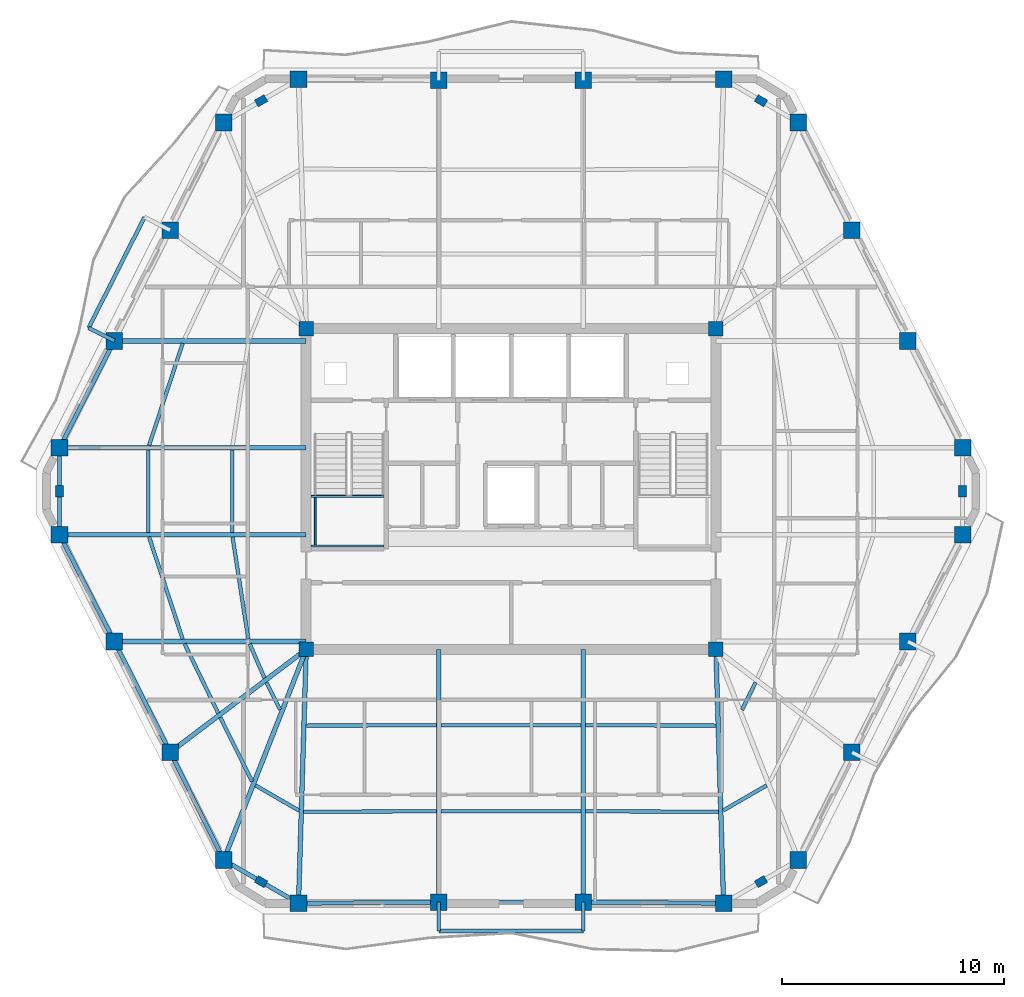
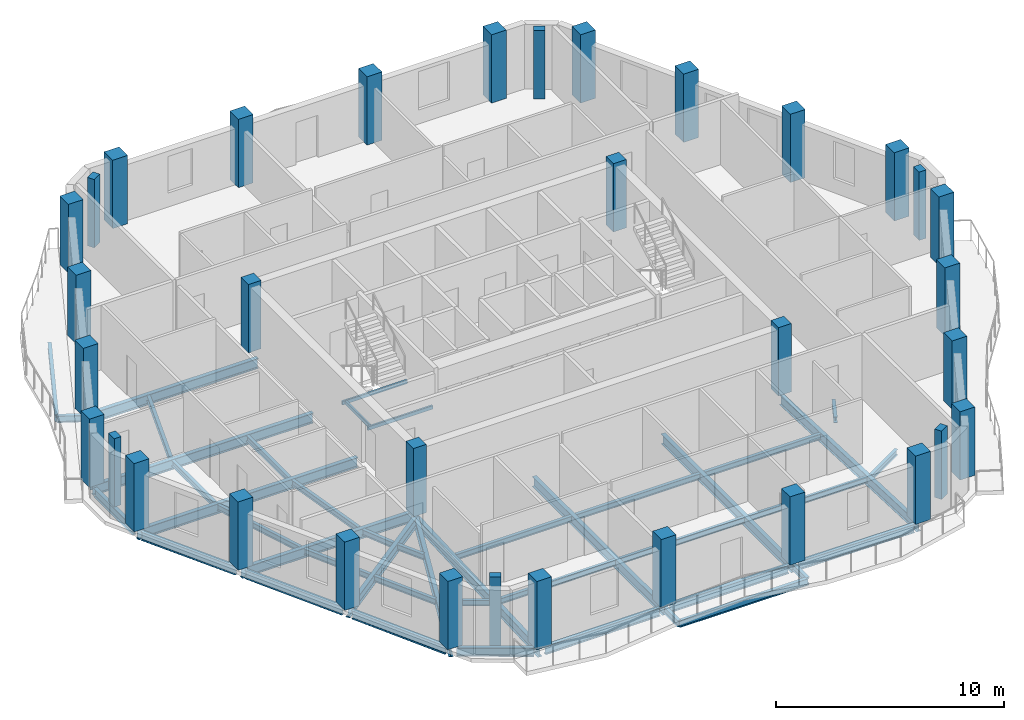
# One storey, part 1 of 11: 45 beams, 34 columns.
"""IFC4 building model written with IfcOpenShell, lengths in metres."""

from ifc_helpers import new_model, si_unit, direction, frame, origin, origin_2d, place, context, subcontext, project, spatial, rectangle, hollow_rectangle, i_section, extrude, material, material_profile, profile_set, type_object, element, save


model = new_model("IFC4")

# Units and contexts
model_context = context("Model", 3, precision=1e-05, world=origin(), true_north=direction((0.0, 1.0)))
body_context = subcontext(model_context, "Body", "Model", "MODEL_VIEW")
ifc_project = project(units=[si_unit("LENGTHUNIT", "METRE"), si_unit("AREAUNIT", "SQUARE_METRE"), si_unit("VOLUMEUNIT", "CUBIC_METRE"), si_unit("PLANEANGLEUNIT", "RADIAN"), si_unit("MASSUNIT", "GRAM", prefix="KILO")], contexts=[model_context])

# Site, building, storey
site_placement = place(None, origin())
site = spatial("IfcSite", under=ifc_project, at=site_placement, CompositionType="ELEMENT")
building_placement = place(site_placement, origin())
building = spatial("IfcBuilding", under=site, at=building_placement, Name="Cinnabar Lancet Tower", CompositionType="ELEMENT")
storey_placement = place(building_placement, frame((0.0, 0.0, 230.64990234375)))
storey = spatial("IfcBuildingStorey", under=building, at=storey_placement, Name="L61", CompositionType="ELEMENT", Elevation=230.64990234375)

# Columns
ifc_material_1 = material(Name="Concrete C50/60", Category="concrete")
ifc_material_profile_1 = material_profile(ifc_material_1, rectangle(XDim=0.64990234375, YDim=0.64990234375, at=origin_2d()), Name="RC-COL 650x650")
ifc_profile_set_1 = profile_set([ifc_material_profile_1], Name="Concrete C50/60")
column_type_1 = type_object("IfcColumnType", Name="STR-COL-CORE-650B", PredefinedType="COLUMN", material=ifc_profile_set_1)
for number, where, z_axis, x_axis, name in (
    (1, (23.175048828125, 18.675048828125, 0.0), (0.0, 0.0, 1.0), (1.0, 0.0, 0.0), "L61 Core Corner Column SW"),
    (2, (41.625, 18.675048828125, 0.0), (0.0, 0.0, 1.0), (1.0, 0.0, 0.0), "L61 Core Corner Column SE"),
    (3, (41.625, 33.125, 0.0), (0.0, 0.0, 1.0), (1.0, 0.0, 0.0), "L61 Core Corner Column NE"),
    (4, (23.175048828125, 33.125, 0.0), (0.0, 0.0, 1.0), (1.0, 0.0, 0.0), "L61 Core Corner Column NW"),
):
    element("IfcColumn", number, at=place(storey_placement, frame(where, z_axis=z_axis, x_axis=x_axis)), inside=storey, type_object=column_type_1, Name=name, PredefinedType="COLUMN", context=body_context, shape_type="SweptSolid", body=[
        extrude(rectangle(XDim=0.64990234375, YDim=0.64990234375, at=origin_2d()), origin(), (0.0, 0.0, 1.0), 3.650146484375),
    ])
ifc_material_2 = material(Name="Concrete C60/75", Category="concrete")
ifc_material_profile_2 = material_profile(ifc_material_2, rectangle(XDim=0.5, YDim=0.35009765625, at=origin_2d()), Name="RC-PIL 500x350")
ifc_profile_set_2 = profile_set([ifc_material_profile_2], Name="Concrete C60/75")
column_type_2 = type_object("IfcColumnType", Name="STR-COL-PIL-500", PredefinedType="PILASTER", material=ifc_profile_set_2)
for number, where, z_axis, x_axis, name in (
    (5, (21.14306640625, 8.215087890625, 0.0), (0.0, 0.0, 1.0), (0.865256437757, -0.501329529272, 0.0), "L61 Chamfered Corner Pilaster 1"),
    (6, (43.656982421875, 8.215087890625, 0.0), (0.0, 0.0, 1.0), (0.865256437757, 0.501329529272, 0.0), "L61 Chamfered Corner Pilaster 2"),
    (7, (52.737060546875, 25.800048828125, 0.0), (0.0, 0.0, 1.0), (0.0, 1.0, 0.0), "L61 Chamfered Corner Pilaster 3"),
    (8, (43.656982421875, 43.385009765625, 0.0), (0.0, 0.0, 1.0), (-0.865256437757, 0.501329529272, 0.0), "L61 Chamfered Corner Pilaster 4"),
    (9, (21.14306640625, 43.385009765625, 0.0), (0.0, 0.0, 1.0), (-0.865256437757, -0.501329529272, 0.0), "L61 Chamfered Corner Pilaster 5"),
    (10, (12.06298828125, 25.800048828125, 0.0), (0.0, 0.0, 1.0), (0.0, -1.0, 0.0), "L61 Chamfered Corner Pilaster 6"),
):
    element("IfcColumn", number, at=place(storey_placement, frame(where, z_axis=z_axis, x_axis=x_axis)), inside=storey, type_object=column_type_2, Name=name, PredefinedType="PILASTER", context=body_context, shape_type="SweptSolid", body=[
        extrude(rectangle(XDim=0.5, YDim=0.35009765625, at=origin_2d()), origin(), (0.0, 0.0, 1.0), 3.650146484375),
    ])
ifc_material_3 = material(Name="Concrete C50/60", Category="concrete")
ifc_material_profile_3 = material_profile(ifc_material_3, rectangle(XDim=0.75, YDim=0.75, at=origin_2d()), Name="RC-COL 750x750")
ifc_profile_set_3 = profile_set([ifc_material_profile_3], Name="Concrete C50/60")
column_type_3 = type_object("IfcColumnType", Name="STR-COL-TUBE-750", PredefinedType="COLUMN", material=ifc_profile_set_3)
for number, where, z_axis, x_axis, name in (
    (11, (22.827880859375, 7.239013671875, 0.0), (0.0, 0.0, 1.0), (1.0, 0.0, 0.0), "L61 Perimeter Tube Column 1"),
    (12, (29.14599609375, 7.2919921875, 0.0), (0.0, 0.0, 1.0), (1.0, 0.0, 0.0), "L61 Perimeter Tube Column 2"),
    (13, (35.654052734375, 7.2919921875, 0.0), (0.0, 0.0, 1.0), (1.0, 0.0, 0.0), "L61 Perimeter Tube Column 3"),
    (14, (41.971923828125, 7.239013671875, 0.0), (0.0, 0.0, 1.0), (1.0, 0.0, 0.0), "L61 Perimeter Tube Column 4"),
    (15, (45.341064453125, 9.19091796875, 0.0), (0.0, 0.0, 1.0), (1.0, 0.0, 0.0), "L61 Perimeter Tube Column 5"),
    (16, (47.7490234375, 14.0458984375, 0.0), (0.0, 0.0, 1.0), (1.0, 0.0, 0.0), "L61 Perimeter Tube Column 6"),
    (17, (50.263916015625, 19.032958984375, 0.0), (0.0, 0.0, 1.0), (1.0, 0.0, 0.0), "L61 Perimeter Tube Column 7"),
    (18, (52.737060546875, 23.844970703125, 0.0), (0.0, 0.0, 1.0), (1.0, 0.0, 0.0), "L61 Perimeter Tube Column 8"),
    (19, (52.737060546875, 27.7548828125, 0.0), (0.0, 0.0, 1.0), (1.0, 0.0, 0.0), "L61 Perimeter Tube Column 9"),
    (20, (50.263916015625, 32.56689453125, 0.0), (0.0, 0.0, 1.0), (1.0, 0.0, 0.0), "L61 Perimeter Tube Column 10"),
    (21, (47.7490234375, 37.553955078125, 0.0), (0.0, 0.0, 1.0), (1.0, 0.0, 0.0), "L61 Perimeter Tube Column 11"),
    (22, (45.341064453125, 42.408935546875, 0.0), (0.0, 0.0, 1.0), (1.0, 0.0, 0.0), "L61 Perimeter Tube Column 12"),
    (23, (41.971923828125, 44.361083984375, 0.0), (0.0, 0.0, 1.0), (1.0, 0.0, 0.0), "L61 Perimeter Tube Column 13"),
    (24, (35.654052734375, 44.30810546875, 0.0), (0.0, 0.0, 1.0), (1.0, 0.0, 0.0), "L61 Perimeter Tube Column 14"),
    (25, (29.14599609375, 44.30810546875, 0.0), (0.0, 0.0, 1.0), (1.0, 0.0, 0.0), "L61 Perimeter Tube Column 15"),
    (26, (22.827880859375, 44.361083984375, 0.0), (0.0, 0.0, 1.0), (1.0, 0.0, 0.0), "L61 Perimeter Tube Column 16"),
    (27, (19.458984375, 42.408935546875, 0.0), (0.0, 0.0, 1.0), (1.0, 0.0, 0.0), "L61 Perimeter Tube Column 17"),
    (28, (17.051025390625, 37.553955078125, 0.0), (0.0, 0.0, 1.0), (1.0, 0.0, 0.0), "L61 Perimeter Tube Column 18"),
    (29, (14.535888671875, 32.56689453125, 0.0), (0.0, 0.0, 1.0), (1.0, 0.0, 0.0), "L61 Perimeter Tube Column 19"),
    (30, (12.06298828125, 27.7548828125, 0.0), (0.0, 0.0, 1.0), (1.0, 0.0, 0.0), "L61 Perimeter Tube Column 20"),
    (31, (12.06298828125, 23.844970703125, 0.0), (0.0, 0.0, 1.0), (1.0, 0.0, 0.0), "L61 Perimeter Tube Column 21"),
    (32, (14.535888671875, 19.032958984375, 0.0), (0.0, 0.0, 1.0), (1.0, 0.0, 0.0), "L61 Perimeter Tube Column 22"),
    (33, (17.051025390625, 14.0458984375, 0.0), (0.0, 0.0, 1.0), (1.0, 0.0, 0.0), "L61 Perimeter Tube Column 23"),
    (34, (19.458984375, 9.19091796875, 0.0), (0.0, 0.0, 1.0), (1.0, 0.0, 0.0), "L61 Perimeter Tube Column 24"),
):
    element("IfcColumn", number, at=place(storey_placement, frame(where, z_axis=z_axis, x_axis=x_axis)), inside=storey, type_object=column_type_3, Name=name, PredefinedType="COLUMN", context=body_context, shape_type="SweptSolid", body=[
        extrude(rectangle(XDim=0.75, YDim=0.75, at=origin_2d()), origin(), (0.0, 0.0, 1.0), 3.650146484375),
    ])

# Beams
ifc_material_4 = material(Name="Structural steel S355", Category="steel")
ifc_material_profile_4 = material_profile(ifc_material_4, i_section(OverallWidth=0.1650390625, OverallDepth=0.303466796875, WebThickness=0.006103515625, FlangeThickness=0.01025390625, FilletRadius=0.0087890625, at=origin_2d()), Name="UKB 305x165x40")
ifc_profile_set_4 = profile_set([ifc_material_profile_4], Name="Structural steel S355")
beam_type_1 = type_object("IfcBeamType", Name="STR-BM-JST-305", PredefinedType="JOIST", material=ifc_profile_set_4)
beam_1_placement = place(storey_placement, frame((16.097900390625, 23.739990234375, -0.351806640625), z_axis=(0.312536616989, -0.949905712711, 0.0), x_axis=(0.949905712711, 0.312536616989, 0.0)))
element("IfcBeam", 35, at=beam_1_placement, inside=storey, type_object=beam_type_1, Name="L61 Secondary Floor Joist 1", PredefinedType="JOIST", context=body_context, shape_type="SweptSolid", body=[
    extrude(i_section(OverallWidth=0.1650390625, OverallDepth=0.303466796875, WebThickness=0.006103515625, FlangeThickness=0.01025390625, FilletRadius=0.0087890625, at=origin_2d()), origin(), (0.0, 0.0, 1.0), 4.8447265625),
])
beam_2_placement = place(storey_placement, frame((19.85791015625, 23.739990234375, -0.351806640625), z_axis=(0.152262059154, -0.988340156698, 0.0), x_axis=(0.988340156698, 0.152262059154, 0.0)))
element("IfcBeam", 36, at=beam_2_placement, inside=storey, type_object=beam_type_1, Name="L61 Secondary Floor Joist 2", PredefinedType="JOIST", context=body_context, shape_type="SweptSolid", body=[
    extrude(i_section(OverallWidth=0.1650390625, OverallDepth=0.303466796875, WebThickness=0.006103515625, FlangeThickness=0.01025390625, FilletRadius=0.0087890625, at=origin_2d()), origin(), (0.0, 0.0, 1.0), 4.65625),
])
beam_3_placement = place(storey_placement, frame((17.697021484375, 18.927978515625, -0.351806640625), z_axis=(0.43610936109, -0.899893674369, 0.0), x_axis=(0.899893674369, 0.43610936109, 0.0)))
element("IfcBeam", 37, at=beam_3_placement, inside=storey, type_object=beam_type_1, Name="L61 Secondary Floor Joist 3", PredefinedType="JOIST", context=body_context, shape_type="SweptSolid", body=[
    extrude(i_section(OverallWidth=0.1650390625, OverallDepth=0.303466796875, WebThickness=0.006103515625, FlangeThickness=0.01025390625, FilletRadius=0.0087890625, at=origin_2d()), origin(), (0.0, 0.0, 1.0), 3.467041015625),
])
beam_4_placement = place(storey_placement, frame((20.62890625, 18.927978515625, -0.351806640625), z_axis=(0.396302440144, -0.91812002262, 0.0), x_axis=(0.91812002262, 0.396302440144, 0.0)))
element("IfcBeam", 38, at=beam_4_placement, inside=storey, type_object=beam_type_1, Name="L61 Secondary Floor Joist 4", PredefinedType="JOIST", context=body_context, shape_type="SweptSolid", body=[
    extrude(i_section(OverallWidth=0.1650390625, OverallDepth=0.303466796875, WebThickness=0.006103515625, FlangeThickness=0.01025390625, FilletRadius=0.0087890625, at=origin_2d()), origin(), (0.0, 0.0, 1.0), 1.6806640625),
])
beam_5_placement = place(storey_placement, frame((19.302978515625, 15.616943359375, -0.351806640625), z_axis=(0.444330443712, -0.895862967641, 0.0), x_axis=(0.895862967641, 0.444330443712, 0.0)))
element("IfcBeam", 39, at=beam_5_placement, inside=storey, type_object=beam_type_1, Name="L61 Secondary Floor Joist 5", PredefinedType="JOIST", context=body_context, shape_type="SweptSolid", body=[
    extrude(i_section(OverallWidth=0.1650390625, OverallDepth=0.303466796875, WebThickness=0.006103515625, FlangeThickness=0.01025390625, FilletRadius=0.0087890625, at=origin_2d()), origin(), (0.0, 0.0, 1.0), 3.220458984375),
])
beam_6_placement = place(storey_placement, frame((21.385009765625, 17.19091796875, -0.351806640625), z_axis=(0.444093192127, -0.89598060063, 0.0), x_axis=(0.89598060063, 0.444093192127, 0.0)))
element("IfcBeam", 40, at=beam_6_placement, inside=storey, type_object=beam_type_1, Name="L61 Secondary Floor Joist 6", PredefinedType="JOIST", context=body_context, shape_type="SweptSolid", body=[
    extrude(i_section(OverallWidth=0.1650390625, OverallDepth=0.303466796875, WebThickness=0.006103515625, FlangeThickness=0.01025390625, FilletRadius=0.0087890625, at=origin_2d()), origin(), (0.0, 0.0, 1.0), 1.378173828125),
])
beam_7_placement = place(storey_placement, frame((20.887939453125, 12.552001953125, -0.351806640625), z_axis=(0.865426285481, -0.501036270542, 0.0), x_axis=(0.501036270542, 0.865426285481, 0.0)))
element("IfcBeam", 41, at=beam_7_placement, inside=storey, type_object=beam_type_1, Name="L61 Secondary Floor Joist 7", PredefinedType="JOIST", context=body_context, shape_type="SweptSolid", body=[
    extrude(i_section(OverallWidth=0.1650390625, OverallDepth=0.303466796875, WebThickness=0.006103515625, FlangeThickness=0.01025390625, FilletRadius=0.0087890625, at=origin_2d()), origin(), (0.0, 0.0, 1.0), 2.267333984375),
])
beam_8_placement = place(storey_placement, frame((23.05810546875, 11.35693359375, -0.351806640625), z_axis=(0.999985712428, 0.005345553266, 0.0), x_axis=(-0.005345553266, 0.999985712428, 0.0)))
element("IfcBeam", 42, at=beam_8_placement, inside=storey, type_object=beam_type_1, Name="L61 Secondary Floor Joist 8", PredefinedType="JOIST", context=body_context, shape_type="SweptSolid", body=[
    extrude(i_section(OverallWidth=0.1650390625, OverallDepth=0.303466796875, WebThickness=0.006103515625, FlangeThickness=0.01025390625, FilletRadius=0.0087890625, at=origin_2d()), origin(), (0.0, 0.0, 1.0), 5.98291015625),
])
beam_9_placement = place(storey_placement, frame((23.176025390625, 15.243896484375, -0.351806640625), z_axis=(0.999996226008, 0.002747356738, 0.0), x_axis=(-0.002747356738, 0.999996226008, 0.0)))
element("IfcBeam", 43, at=beam_9_placement, inside=storey, type_object=beam_type_1, Name="L61 Secondary Floor Joist 9", PredefinedType="JOIST", context=body_context, shape_type="SweptSolid", body=[
    extrude(i_section(OverallWidth=0.1650390625, OverallDepth=0.303466796875, WebThickness=0.006103515625, FlangeThickness=0.01025390625, FilletRadius=0.0087890625, at=origin_2d()), origin(), (0.0, 0.0, 1.0), 5.864990234375),
])
for number, where, z_axis, x_axis, name in (
    (44, (29.2509765625, 11.389892578125, -0.351806640625), (1.0, 0.0, 0.0), (0.0, 1.0, 0.0), "L61 Secondary Floor Joist 10"),
    (45, (29.2509765625, 15.260009765625, -0.351806640625), (1.0, 0.0, 0.0), (0.0, 1.0, 0.0), "L61 Secondary Floor Joist 11"),
):
    element("IfcBeam", number, at=place(storey_placement, frame(where, z_axis=z_axis, x_axis=x_axis)), inside=storey, type_object=beam_type_1, Name=name, PredefinedType="JOIST", context=body_context, shape_type="SweptSolid", body=[
        extrude(i_section(OverallWidth=0.1650390625, OverallDepth=0.303466796875, WebThickness=0.006103515625, FlangeThickness=0.01025390625, FilletRadius=0.0087890625, at=origin_2d()), origin(), (0.0, 0.0, 1.0), 6.298095703125),
    ])
beam_10_placement = place(storey_placement, frame((35.759033203125, 11.388916015625, -0.351806640625), z_axis=(0.999985712428, -0.005345553266, 0.0), x_axis=(0.005345553266, 0.999985712428, 0.0)))
element("IfcBeam", 46, at=beam_10_placement, inside=storey, type_object=beam_type_1, Name="L61 Secondary Floor Joist 12", PredefinedType="JOIST", context=body_context, shape_type="SweptSolid", body=[
    extrude(i_section(OverallWidth=0.1650390625, OverallDepth=0.303466796875, WebThickness=0.006103515625, FlangeThickness=0.01025390625, FilletRadius=0.0087890625, at=origin_2d()), origin(), (0.0, 0.0, 1.0), 5.98291015625),
])
beam_11_placement = place(storey_placement, frame((35.759033203125, 15.260009765625, -0.351806640625), z_axis=(0.999996226008, -0.002747356738, 0.0), x_axis=(0.002747356738, 0.999996226008, 0.0)))
element("IfcBeam", 47, at=beam_11_placement, inside=storey, type_object=beam_type_1, Name="L61 Secondary Floor Joist 13", PredefinedType="JOIST", context=body_context, shape_type="SweptSolid", body=[
    extrude(i_section(OverallWidth=0.1650390625, OverallDepth=0.303466796875, WebThickness=0.006103515625, FlangeThickness=0.01025390625, FilletRadius=0.0087890625, at=origin_2d()), origin(), (0.0, 0.0, 1.0), 5.864990234375),
])
beam_12_placement = place(storey_placement, frame((41.949951171875, 11.416015625, -0.351806640625), z_axis=(0.865426285481, 0.501036270542, 0.0), x_axis=(-0.501036270542, 0.865426285481, 0.0)))
element("IfcBeam", 48, at=beam_12_placement, inside=storey, type_object=beam_type_1, Name="L61 Secondary Floor Joist 14", PredefinedType="JOIST", context=body_context, shape_type="SweptSolid", body=[
    extrude(i_section(OverallWidth=0.1650390625, OverallDepth=0.303466796875, WebThickness=0.006103515625, FlangeThickness=0.01025390625, FilletRadius=0.0087890625, at=origin_2d()), origin(), (0.0, 0.0, 1.0), 2.267333984375),
])
beam_13_placement = place(storey_placement, frame((42.802978515625, 15.9560546875, -0.351806640625), z_axis=(0.444093192127, 0.89598060063, 0.0), x_axis=(-0.89598060063, 0.444093192127, 0.0)))
element("IfcBeam", 49, at=beam_13_placement, inside=storey, type_object=beam_type_1, Name="L61 Secondary Floor Joist 16", PredefinedType="JOIST", context=body_context, shape_type="SweptSolid", body=[
    extrude(i_section(OverallWidth=0.1650390625, OverallDepth=0.303466796875, WebThickness=0.006103515625, FlangeThickness=0.01025390625, FilletRadius=0.0087890625, at=origin_2d()), origin(), (0.0, 0.0, 1.0), 1.378173828125),
])
beam_14_placement = place(storey_placement, frame((17.612060546875, 32.4619140625, -0.351806640625), z_axis=(-0.312551578319, -0.949900790025, 0.0), x_axis=(0.949900790025, -0.312551578319, 0.0)))
element("IfcBeam", 50, at=beam_14_placement, inside=storey, type_object=beam_type_1, Name="L61 Secondary Floor Joist 41", PredefinedType="JOIST", context=body_context, shape_type="SweptSolid", body=[
    extrude(i_section(OverallWidth=0.1650390625, OverallDepth=0.303466796875, WebThickness=0.006103515625, FlangeThickness=0.01025390625, FilletRadius=0.0087890625, at=origin_2d()), origin(), (0.0, 0.0, 1.0), 4.844482421875),
])
for number, where, z_axis, x_axis, name in (
    (51, (16.06298828125, 27.64990234375, -0.351806640625), (0.0, -1.0, 0.0), (1.0, 0.0, 0.0), "L61 Secondary Floor Joist 43"),
    (52, (19.841064453125, 27.64990234375, -0.351806640625), (0.0, -1.0, 0.0), (1.0, 0.0, 0.0), "L61 Secondary Floor Joist 44"),
):
    element("IfcBeam", number, at=place(storey_placement, frame(where, z_axis=z_axis, x_axis=x_axis)), inside=storey, type_object=beam_type_1, Name=name, PredefinedType="JOIST", context=body_context, shape_type="SweptSolid", body=[
        extrude(i_section(OverallWidth=0.1650390625, OverallDepth=0.303466796875, WebThickness=0.006103515625, FlangeThickness=0.01025390625, FilletRadius=0.0087890625, at=origin_2d()), origin(), (0.0, 0.0, 1.0), 3.699951171875),
    ])
ifc_material_5 = material(Name="Structural steel S355", Category="steel")
ifc_material_profile_5 = material_profile(ifc_material_5, hollow_rectangle(XDim=0.10009765625, YDim=0.199951171875, WallThickness=0.008056640625, InnerFilletRadius=0.00390625, OuterFilletRadius=0.011962890625, at=origin_2d()), Name="RHS 200x100x8")
ifc_profile_set_5 = profile_set([ifc_material_profile_5], Name="Structural steel S355")
beam_type_2 = type_object("IfcBeamType", Name="STR-BM-LND-203", PredefinedType="BEAM", material=ifc_profile_set_5)
for number, where, z_axis, x_axis, name in (
    (53, (23.39990234375, 23.330078125, 1.525146484375), (1.0, 0.0, 0.0), (0.0, 1.0, 0.0), "L61 ST-1-L61 Landing Support Beam S"),
    (54, (23.39990234375, 25.570068359375, 1.525146484375), (1.0, 0.0, 0.0), (0.0, 1.0, 0.0), "L61 ST-1-L61 Landing Support Beam N"),
):
    element("IfcBeam", number, at=place(storey_placement, frame(where, z_axis=z_axis, x_axis=x_axis)), inside=storey, type_object=beam_type_2, Name=name, PredefinedType="BEAM", context=body_context, shape_type="SweptSolid", body=[
        extrude(hollow_rectangle(XDim=0.10009765625, YDim=0.199951171875, WallThickness=0.008056640625, InnerFilletRadius=0.00390625, OuterFilletRadius=0.011962890625, at=origin_2d()), origin(), (0.0, 0.0, 1.0), 3.280029296875),
    ])
beam_15_placement = place(storey_placement, frame((23.580078125, 23.3798828125, 1.525146484375), z_axis=(0.0, 1.0, 0.0), x_axis=(-1.0, 0.0, 0.0)))
element("IfcBeam", 55, at=beam_15_placement, inside=storey, type_object=beam_type_2, Name="L61 ST-1-L61 Landing Side Trimmer Beam", PredefinedType="BEAM", context=body_context, shape_type="SweptSolid", body=[
    extrude(hollow_rectangle(XDim=0.10009765625, YDim=0.199951171875, WallThickness=0.008056640625, InnerFilletRadius=0.00390625, OuterFilletRadius=0.011962890625, at=origin_2d()), origin(), (0.0, 0.0, 1.0), 2.14013671875),
])
ifc_material_6 = material(Name="Structural steel S355", Category="steel")
ifc_material_profile_6 = material_profile(ifc_material_6, i_section(OverallWidth=0.1904296875, OverallDepth=0.45703125, WebThickness=0.009033203125, FlangeThickness=0.014404296875, FilletRadius=0.01025390625, at=origin_2d()), Name="UKB 457x191x74")
ifc_profile_set_6 = profile_set([ifc_material_profile_6], Name="Structural steel S355")
beam_type_3 = type_object("IfcBeamType", Name="STR-BM-SPN-457", PredefinedType="SPANDREL", material=ifc_profile_set_6)
beam_16_placement = place(storey_placement, frame((23.077880859375, 7.240966796875, -0.428955078125), z_axis=(0.999964432412, 0.008434092187, 0.0), x_axis=(-0.008434092187, 0.999964432412, 0.0)))
element("IfcBeam", 56, at=beam_16_placement, inside=storey, type_object=beam_type_3, Name="L61 Perimeter Spandrel 1", PredefinedType="SPANDREL", context=body_context, shape_type="SweptSolid", body=[
    extrude(i_section(OverallWidth=0.1904296875, OverallDepth=0.45703125, WebThickness=0.009033203125, FlangeThickness=0.014404296875, FilletRadius=0.01025390625, at=origin_2d()), origin(), (0.0, 0.0, 1.0), 5.818359375),
])
beam_17_placement = place(storey_placement, frame((29.39599609375, 7.2919921875, -0.428955078125), z_axis=(1.0, 0.0, 0.0), x_axis=(0.0, 1.0, 0.0)))
element("IfcBeam", 57, at=beam_17_placement, inside=storey, type_object=beam_type_3, Name="L61 Perimeter Spandrel 2", PredefinedType="SPANDREL", context=body_context, shape_type="SweptSolid", body=[
    extrude(i_section(OverallWidth=0.1904296875, OverallDepth=0.45703125, WebThickness=0.009033203125, FlangeThickness=0.014404296875, FilletRadius=0.01025390625, at=origin_2d()), origin(), (0.0, 0.0, 1.0), 6.008056640625),
])
beam_18_placement = place(storey_placement, frame((35.904052734375, 7.2900390625, -0.428955078125), z_axis=(0.999964429427, -0.00843444609, 0.0), x_axis=(0.00843444609, 0.999964429427, 0.0)))
element("IfcBeam", 58, at=beam_18_placement, inside=storey, type_object=beam_type_3, Name="L61 Perimeter Spandrel 3", PredefinedType="SPANDREL", context=body_context, shape_type="SweptSolid", body=[
    extrude(i_section(OverallWidth=0.1904296875, OverallDepth=0.45703125, WebThickness=0.009033203125, FlangeThickness=0.014404296875, FilletRadius=0.01025390625, at=origin_2d()), origin(), (0.0, 0.0, 1.0), 5.818115234375),
])
beam_19_placement = place(storey_placement, frame((14.422119140625, 32.344970703125, -0.428955078125), z_axis=(-0.457148063427, -0.889390604912, 0.0), x_axis=(0.889390604912, -0.457148063427, 0.0)))
element("IfcBeam", 59, at=beam_19_placement, inside=storey, type_object=beam_type_3, Name="L61 Perimeter Spandrel 19", PredefinedType="SPANDREL", context=body_context, shape_type="SweptSolid", body=[
    extrude(i_section(OverallWidth=0.1904296875, OverallDepth=0.45703125, WebThickness=0.009033203125, FlangeThickness=0.014404296875, FilletRadius=0.01025390625, at=origin_2d()), origin(), (0.0, 0.0, 1.0), 4.9111328125),
])
beam_20_placement = place(storey_placement, frame((12.06298828125, 27.5048828125, -0.428955078125), z_axis=(0.0, -1.0, 0.0), x_axis=(1.0, 0.0, 0.0)))
element("IfcBeam", 60, at=beam_20_placement, inside=storey, type_object=beam_type_3, Name="L61 Perimeter Spandrel 20", PredefinedType="SPANDREL", context=body_context, shape_type="SweptSolid", body=[
    extrude(i_section(OverallWidth=0.1904296875, OverallDepth=0.45703125, WebThickness=0.009033203125, FlangeThickness=0.014404296875, FilletRadius=0.01025390625, at=origin_2d()), origin(), (0.0, 0.0, 1.0), 3.409912109375),
])
beam_21_placement = place(storey_placement, frame((12.177001953125, 23.623046875, -0.428955078125), z_axis=(0.457127852293, -0.889400993174, 0.0), x_axis=(0.889400993174, 0.457127852293, 0.0)))
element("IfcBeam", 61, at=beam_21_placement, inside=storey, type_object=beam_type_3, Name="L61 Perimeter Spandrel 21", PredefinedType="SPANDREL", context=body_context, shape_type="SweptSolid", body=[
    extrude(i_section(OverallWidth=0.1904296875, OverallDepth=0.45703125, WebThickness=0.009033203125, FlangeThickness=0.014404296875, FilletRadius=0.01025390625, at=origin_2d()), origin(), (0.0, 0.0, 1.0), 4.911376953125),
])
beam_22_placement = place(storey_placement, frame((14.64892578125, 18.81005859375, -0.428955078125), z_axis=(0.450130146726, -0.892962961722, 0.0), x_axis=(0.892962961722, 0.450130146726, 0.0)))
element("IfcBeam", 62, at=beam_22_placement, inside=storey, type_object=beam_type_3, Name="L61 Perimeter Spandrel 22", PredefinedType="SPANDREL", context=body_context, shape_type="SweptSolid", body=[
    extrude(i_section(OverallWidth=0.1904296875, OverallDepth=0.45703125, WebThickness=0.009033203125, FlangeThickness=0.014404296875, FilletRadius=0.01025390625, at=origin_2d()), origin(), (0.0, 0.0, 1.0), 5.08544921875),
])
beam_23_placement = place(storey_placement, frame((17.162109375, 13.822021484375, -0.428955078125), z_axis=(0.44433276947, -0.895861814107, 0.0), x_axis=(0.895861814107, 0.44433276947, 0.0)))
element("IfcBeam", 63, at=beam_23_placement, inside=storey, type_object=beam_type_3, Name="L61 Perimeter Spandrel 23", PredefinedType="SPANDREL", context=body_context, shape_type="SweptSolid", body=[
    extrude(i_section(OverallWidth=0.1904296875, OverallDepth=0.45703125, WebThickness=0.009033203125, FlangeThickness=0.014404296875, FilletRadius=0.01025390625, at=origin_2d()), origin(), (0.0, 0.0, 1.0), 4.919189453125),
])
beam_24_placement = place(storey_placement, frame((19.675048828125, 9.06591796875, -0.428955078125), z_axis=(0.865230894194, -0.50137361292, 0.0), x_axis=(0.50137361292, 0.865230894194, 0.0)))
element("IfcBeam", 64, at=beam_24_placement, inside=storey, type_object=beam_type_3, Name="L61 Perimeter Spandrel 24", PredefinedType="SPANDREL", context=body_context, shape_type="SweptSolid", body=[
    extrude(i_section(OverallWidth=0.1904296875, OverallDepth=0.45703125, WebThickness=0.009033203125, FlangeThickness=0.014404296875, FilletRadius=0.01025390625, at=origin_2d()), origin(), (0.0, 0.0, 1.0), 3.39453125),
])
ifc_material_7 = material(Name="Structural steel S355", Category="steel")
ifc_material_profile_7 = material_profile(ifc_material_7, i_section(OverallWidth=0.209228515625, OverallDepth=0.533203125, WebThickness=0.010009765625, FlangeThickness=0.015625, FilletRadius=0.0126953125, at=origin_2d()), Name="UKB 533x210x92")
ifc_profile_set_7 = profile_set([ifc_material_profile_7], Name="Structural steel S355")
beam_type_4 = type_object("IfcBeamType", Name="STR-BM-UKB533-92", PredefinedType="BEAM", material=ifc_profile_set_7)
beam_25_placement = place(storey_placement, frame((17.051025390625, 14.0458984375, -0.466796875), z_axis=(0.797735075719, 0.603008083667, 0.0), x_axis=(-0.603008083667, 0.797735075719, 0.0)))
element("IfcBeam", 65, at=beam_25_placement, inside=storey, type_object=beam_type_4, Name="L61 Corner Collector Girder 1", PredefinedType="BEAM", context=body_context, shape_type="SweptSolid", body=[
    extrude(i_section(OverallWidth=0.209228515625, OverallDepth=0.533203125, WebThickness=0.010009765625, FlangeThickness=0.015625, FilletRadius=0.0126953125, at=origin_2d()), origin(), (0.0, 0.0, 1.0), 7.6767578125),
])
beam_26_placement = place(storey_placement, frame((22.827880859375, 7.239013671875, -0.466796875), z_axis=(0.030343393029, 0.999539533235, 0.0), x_axis=(-0.999539533235, 0.030343393029, 0.0)))
element("IfcBeam", 66, at=beam_26_placement, inside=storey, type_object=beam_type_4, Name="L61 Primary Floor Girder 1", PredefinedType="BEAM", context=body_context, shape_type="SweptSolid", body=[
    extrude(i_section(OverallWidth=0.209228515625, OverallDepth=0.533203125, WebThickness=0.010009765625, FlangeThickness=0.015625, FilletRadius=0.0126953125, at=origin_2d()), origin(), (0.0, 0.0, 1.0), 11.44140625),
])
for number, where, z_axis, x_axis, name in (
    (67, (29.14599609375, 7.2919921875, -0.466796875), (0.0, 1.0, 0.0), (-1.0, 0.0, 0.0), "L61 Primary Floor Girder 2"),
    (68, (35.654052734375, 7.2919921875, -0.466796875), (0.0, 1.0, 0.0), (-1.0, 0.0, 0.0), "L61 Primary Floor Girder 3"),
):
    element("IfcBeam", number, at=place(storey_placement, frame(where, z_axis=z_axis, x_axis=x_axis)), inside=storey, type_object=beam_type_4, Name=name, PredefinedType="BEAM", context=body_context, shape_type="SweptSolid", body=[
        extrude(i_section(OverallWidth=0.209228515625, OverallDepth=0.533203125, WebThickness=0.010009765625, FlangeThickness=0.015625, FilletRadius=0.0126953125, at=origin_2d()), origin(), (0.0, 0.0, 1.0), 11.383056640625),
    ])
beam_27_placement = place(storey_placement, frame((41.971923828125, 7.239013671875, -0.466796875), z_axis=(-0.030322074123, 0.999540180193, 0.0), x_axis=(-0.999540180193, -0.030322074123, 0.0)))
element("IfcBeam", 69, at=beam_27_placement, inside=storey, type_object=beam_type_4, Name="L61 Primary Floor Girder 4", PredefinedType="BEAM", context=body_context, shape_type="SweptSolid", body=[
    extrude(i_section(OverallWidth=0.209228515625, OverallDepth=0.533203125, WebThickness=0.010009765625, FlangeThickness=0.015625, FilletRadius=0.0126953125, at=origin_2d()), origin(), (0.0, 0.0, 1.0), 11.44140625),
])
beam_28_placement = place(storey_placement, frame((14.535888671875, 32.56689453125, -0.466796875), z_axis=(1.0, 0.0, 0.0), x_axis=(0.0, 1.0, 0.0)))
element("IfcBeam", 70, at=beam_28_placement, inside=storey, type_object=beam_type_4, Name="L61 Primary Floor Girder 19", PredefinedType="BEAM", context=body_context, shape_type="SweptSolid", body=[
    extrude(i_section(OverallWidth=0.209228515625, OverallDepth=0.533203125, WebThickness=0.010009765625, FlangeThickness=0.015625, FilletRadius=0.0126953125, at=origin_2d()), origin(), (0.0, 0.0, 1.0), 8.63916015625),
])
for number, where, z_axis, x_axis, name in (
    (71, (12.06298828125, 27.7548828125, -0.466796875), (1.0, 0.0, 0.0), (0.0, 1.0, 0.0), "L61 Primary Floor Girder 20"),
    (72, (12.06298828125, 23.844970703125, -0.466796875), (1.0, 0.0, 0.0), (0.0, 1.0, 0.0), "L61 Primary Floor Girder 21"),
):
    element("IfcBeam", number, at=place(storey_placement, frame(where, z_axis=z_axis, x_axis=x_axis)), inside=storey, type_object=beam_type_4, Name=name, PredefinedType="BEAM", context=body_context, shape_type="SweptSolid", body=[
        extrude(i_section(OverallWidth=0.209228515625, OverallDepth=0.533203125, WebThickness=0.010009765625, FlangeThickness=0.015625, FilletRadius=0.0126953125, at=origin_2d()), origin(), (0.0, 0.0, 1.0), 11.112060546875),
    ])
beam_29_placement = place(storey_placement, frame((14.535888671875, 19.032958984375, -0.466796875), z_axis=(1.0, 0.0, 0.0), x_axis=(0.0, 1.0, 0.0)))
element("IfcBeam", 73, at=beam_29_placement, inside=storey, type_object=beam_type_4, Name="L61 Primary Floor Girder 22", PredefinedType="BEAM", context=body_context, shape_type="SweptSolid", body=[
    extrude(i_section(OverallWidth=0.209228515625, OverallDepth=0.533203125, WebThickness=0.010009765625, FlangeThickness=0.015625, FilletRadius=0.0126953125, at=origin_2d()), origin(), (0.0, 0.0, 1.0), 8.63916015625),
])
beam_30_placement = place(storey_placement, frame((19.458984375, 9.19091796875, -0.466796875), z_axis=(0.364815017375, 0.931080019707, 0.0), x_axis=(-0.931080019707, 0.364815017375, 0.0)))
element("IfcBeam", 74, at=beam_30_placement, inside=storey, type_object=beam_type_4, Name="L61 Primary Floor Girder 24", PredefinedType="BEAM", context=body_context, shape_type="SweptSolid", body=[
    extrude(i_section(OverallWidth=0.209228515625, OverallDepth=0.533203125, WebThickness=0.010009765625, FlangeThickness=0.015625, FilletRadius=0.0126953125, at=origin_2d()), origin(), (0.0, 0.0, 1.0), 10.186279296875),
])
ifc_material_8 = material(Name="Structural steel S355", Category="steel")
ifc_material_profile_8 = material_profile(ifc_material_8, i_section(OverallWidth=0.17138671875, OverallDepth=0.35498046875, WebThickness=0.00732421875, FlangeThickness=0.011474609375, FilletRadius=0.01025390625, at=origin_2d()), Name="UKB 356x171x51")
ifc_profile_set_8 = profile_set([ifc_material_profile_8], Name="Structural steel S355")
beam_type_5 = type_object("IfcBeamType", Name="STR-BM-WAV-OUT", PredefinedType="BEAM", material=ifc_profile_set_8)
for number, where, z_axis, x_axis, name in (
    (75, (29.14599609375, 7.2919921875, -0.39794921875), (0.0, -1.0, 0.0), (1.0, 0.0, 0.0), "L61 Face 1 Balcony Outlooker A"),
    (76, (35.654052734375, 7.2919921875, -0.39794921875), (0.0, -1.0, 0.0), (1.0, 0.0, 0.0), "L61 Face 1 Balcony Outlooker B"),
    (77, (14.535888671875, 32.56689453125, -0.39794921875), (-0.892200264127, 0.451639998995, 0.0), (-0.451639998995, -0.892200264127, 0.0), "L61 Face 5 Balcony Outlooker B"),
):
    element("IfcBeam", number, at=place(storey_placement, frame(where, z_axis=z_axis, x_axis=x_axis)), inside=storey, type_object=beam_type_5, Name=name, PredefinedType="BEAM", context=body_context, shape_type="SweptSolid", body=[
        extrude(i_section(OverallWidth=0.17138671875, OverallDepth=0.35498046875, WebThickness=0.00732421875, FlangeThickness=0.011474609375, FilletRadius=0.01025390625, at=origin_2d()), origin(), (0.0, 0.0, 1.0), 1.300048828125),
    ])
ifc_material_9 = material(Name="Structural steel S355", Category="steel")
ifc_material_profile_9 = material_profile(ifc_material_9, i_section(OverallWidth=0.17138671875, OverallDepth=0.35498046875, WebThickness=0.00732421875, FlangeThickness=0.011474609375, FilletRadius=0.01025390625, at=origin_2d()), Name="UKB 356x171x51")
ifc_profile_set_9 = profile_set([ifc_material_profile_9], Name="Structural steel S355")
beam_type_6 = type_object("IfcBeamType", Name="STR-BM-WAV-TRIM", PredefinedType="SPANDREL", material=ifc_profile_set_9)
beam_31_placement = place(storey_placement, frame((29.14599609375, 5.991943359375, -0.39794921875), z_axis=(1.0, 0.0, 0.0), x_axis=(0.0, 1.0, 0.0)))
element("IfcBeam", 78, at=beam_31_placement, inside=storey, type_object=beam_type_6, Name="L61 Face 1 Balcony Edge Trimmer", PredefinedType="SPANDREL", context=body_context, shape_type="SweptSolid", body=[
    extrude(i_section(OverallWidth=0.17138671875, OverallDepth=0.35498046875, WebThickness=0.00732421875, FlangeThickness=0.011474609375, FilletRadius=0.01025390625, at=origin_2d()), origin(), (0.0, 0.0, 1.0), 6.508056640625),
])
beam_32_placement = place(storey_placement, frame((15.89111328125, 38.14111328125, -0.39794921875), z_axis=(-0.450305622338, -0.892874485295, 0.0), x_axis=(0.892874485295, -0.450305622338, 0.0)))
element("IfcBeam", 79, at=beam_32_placement, inside=storey, type_object=beam_type_6, Name="L61 Face 5 Balcony Edge Trimmer", PredefinedType="SPANDREL", context=body_context, shape_type="SweptSolid", body=[
    extrude(i_section(OverallWidth=0.17138671875, OverallDepth=0.35498046875, WebThickness=0.00732421875, FlangeThickness=0.011474609375, FilletRadius=0.01025390625, at=origin_2d()), origin(), (0.0, 0.0, 1.0), 5.58544921875),
])

save(model, "model.ifc")
